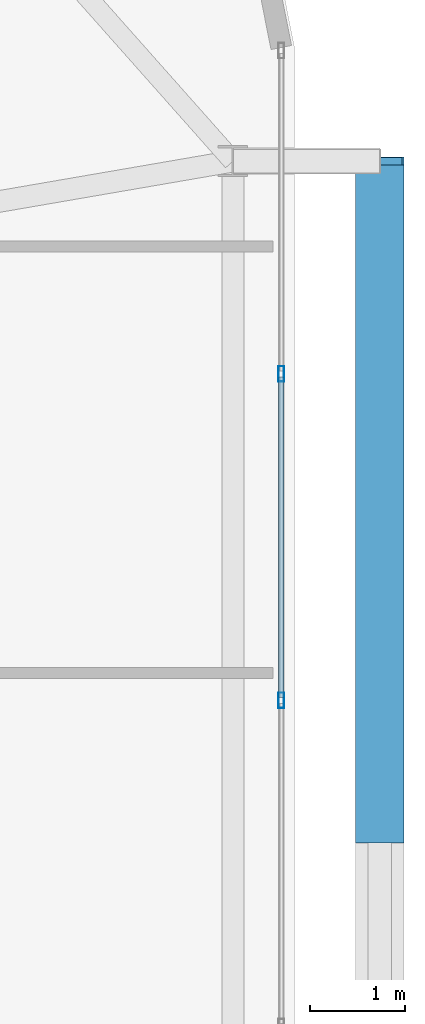
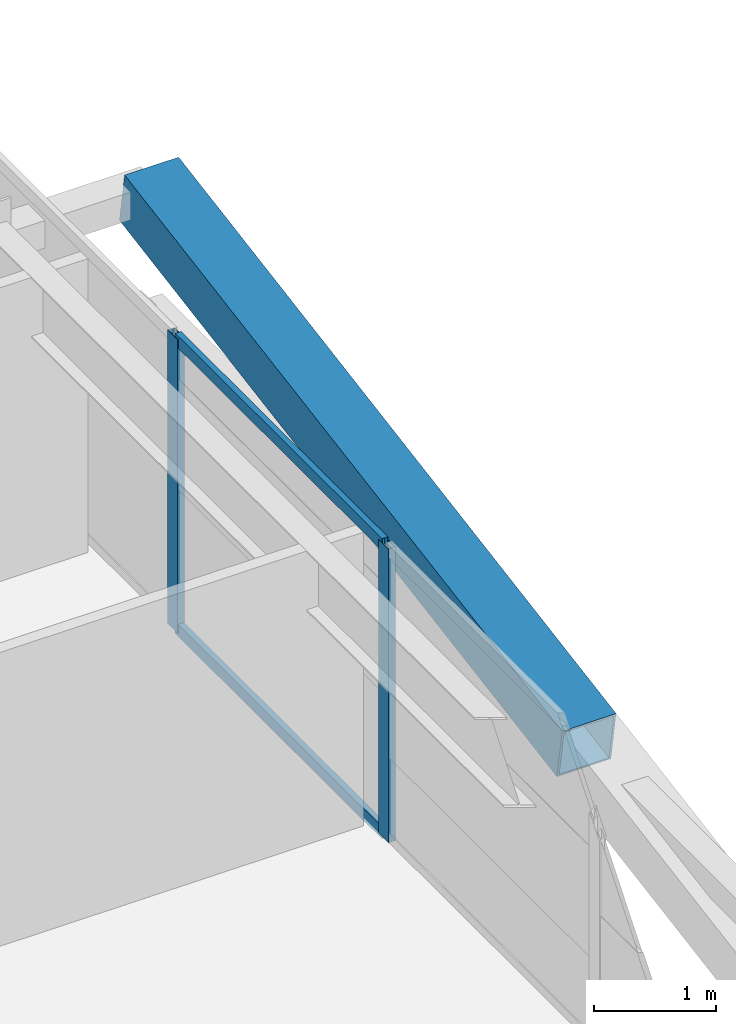
# One storey, part 32 of 59: 5 members, 1 element without a shape of its own.
"""IFC4 building model written with IfcOpenShell, lengths in metres."""

from ifc_helpers import new_model, si_unit, direction, frame, origin, origin_2d, place, context, subcontext, project, spatial, hollow_rectangle, extrude, source, transform, mapped, material, layer, layer_set, material_profile, profile_set, type_object, element, aggregate, save


model = new_model("IFC4")

# Units and contexts
model_context = context("Model", 3, precision=1e-05, world=origin(), true_north=direction((0.0, 1.0)))
body_context = subcontext(model_context, "Body", "Model", "MODEL_VIEW")
ifc_project = project(units=[si_unit("LENGTHUNIT", "METRE"), si_unit("AREAUNIT", "SQUARE_METRE"), si_unit("VOLUMEUNIT", "CUBIC_METRE"), si_unit("PLANEANGLEUNIT", "RADIAN"), si_unit("MASSUNIT", "GRAM", prefix="KILO")], contexts=[model_context])

# Site, building, storey
site_placement = place(None, origin())
site = spatial("IfcSite", under=ifc_project, at=site_placement, CompositionType="ELEMENT")
building_placement = place(site_placement, origin())
building = spatial("IfcBuilding", under=site, at=building_placement, Name="Taldren Reach Tower", CompositionType="ELEMENT")
storey_placement = place(building_placement, frame((0.0, 0.0, 19.949951171875)))
storey = spatial("IfcBuildingStorey", under=building, at=storey_placement, Name="L05", CompositionType="ELEMENT", Elevation=19.949951171875)

# Member
ifc_material_1 = material(Name="Steel Gr 450 (C450L0)", Category="steel")
ifc_material_profile_1 = material_profile(ifc_material_1, hollow_rectangle(XDim=0.510009765625, YDim=0.510009765625, WallThickness=0.02001953125, at=origin_2d()), Name="510x510x20.0SHS")
ifc_profile_set_1 = profile_set([ifc_material_profile_1], Name="Steel Gr 450 (C450L0)")
member_type_1 = type_object("IfcMemberType", Name="MB-EXO508", PredefinedType="BRACE", material=ifc_profile_set_1)
shared_shape_1 = source(origin(), body_context, "Body", "SweptSolid", [
    extrude(hollow_rectangle(XDim=0.510009765625, YDim=0.510009765625, WallThickness=0.02001953125, at=origin_2d()), origin(), (0.0, 0.0, 1.0), 7.252685546875),
])
member_1_placement = place(storey_placement, frame((65.89990234375, 27.14990234375, 1.43505859375), z_axis=(0.0, 0.985865800628, 0.167536930711), x_axis=(-1.0, 0.0, 0.0)))
element("IfcMember", 1, at=member_1_placement, inside=storey, type_object=member_type_1, Name="Exoskeleton Diagrid Brace B1-E2 L05", PredefinedType="BRACE", context=body_context, shape_type="MappedRepresentation", body=[
    mapped(shared_shape_1, transform((0.0, 0.0, 0.0), scale=1.0)),
])

# Curtain wall, members
ifc_material_2 = material(Name="Aluminium and Low-E Glass Unitised System", Category="aluminium")
ifc_layer = layer(ifc_material_2, 0.159912109375)
ifc_layer_set = layer_set([ifc_layer], Name="Aluminium and Low-E Glass Unitised System")
curtain_wall_type = type_object("IfcCurtainWallType", Name="CW-SYS-2", PredefinedType="NOTDEFINED", material=ifc_layer_set)
curtain_wall_placement = place(storey_placement, origin())
curtain_wall = element("IfcCurtainWall", 2, at=curtain_wall_placement, inside=storey, type_object=curtain_wall_type, Name="Unitised curtain wall CW-L05-E", PredefinedType="NOTDEFINED")
ifc_material_3 = material(Name="Anodised Aluminium 6063-T6", Category="aluminium")
ifc_material_profile_2 = material_profile(ifc_material_3, hollow_rectangle(XDim=0.06494140625, YDim=0.1650390625, WallThickness=0.00390625, at=origin_2d()), Name="ALU-165x65x4RHS")
ifc_profile_set_2 = profile_set([ifc_material_profile_2], Name="Anodised Aluminium 6063-T6")
member_type_2 = type_object("IfcMemberType", Name="CW-MUL-165", PredefinedType="MULLION", material=ifc_profile_set_2)
shared_shape_2 = source(origin(), body_context, "Body", "SweptSolid", [
    extrude(hollow_rectangle(XDim=0.06494140625, YDim=0.1650390625, WallThickness=0.00390625, at=origin_2d()), origin(), (0.0, 0.0, 1.0), 2.929931640625),
])
member_2_placement = place(storey_placement, frame((64.860107421875, 28.611083984375, 0.0), z_axis=(0.0, 0.0, 1.0), x_axis=(-1.0, 0.0, 0.0)))
member_2 = element("IfcMember", 3, at=member_2_placement, type_object=member_type_2, Name="CW-2 mullion 8", PredefinedType="MULLION", context=body_context, shape_type="MappedRepresentation", body=[
    mapped(shared_shape_2, transform((0.0, 0.0, 0.0), scale=1.0)),
])
member_3_placement = place(storey_placement, frame((64.860107421875, 32.0556640625, 0.0), z_axis=(0.0, 0.0, 1.0), x_axis=(-1.0, 0.0, 0.0)))
member_3 = element("IfcMember", 4, at=member_3_placement, type_object=member_type_2, Name="CW-2 mullion 9", PredefinedType="MULLION", context=body_context, shape_type="MappedRepresentation", body=[
    mapped(shared_shape_2, transform((0.0, 0.0, 0.0), scale=1.0)),
])
ifc_material_profile_3 = material_profile(ifc_material_3, hollow_rectangle(XDim=0.054931640625, YDim=0.1201171875, WallThickness=0.0029296875, at=origin_2d()), Name="ALU-120x55x3RHS")
ifc_profile_set_3 = profile_set([ifc_material_profile_3], Name="Anodised Aluminium 6063-T6")
member_type_3 = type_object("IfcMemberType", Name="CW-TRN-135", PredefinedType="USERDEFINED", material=ifc_profile_set_3)
shared_shape_3 = source(origin(), body_context, "Body", "SweptSolid", [
    extrude(hollow_rectangle(XDim=0.054931640625, YDim=0.1201171875, WallThickness=0.0029296875, at=origin_2d()), origin(), (0.0, 0.0, 1.0), 3.37939453125),
])
member_4_placement = place(storey_placement, frame((64.860107421875, 28.6435546875, 0.027587890625), z_axis=(0.0, 1.0, 0.0), x_axis=(-1.0, 0.0, 0.0)))
member_4 = element("IfcMember", 5, at=member_4_placement, type_object=member_type_3, Name="CW-2 transom 8.1", ObjectType="TRANSOM", PredefinedType="USERDEFINED", context=body_context, shape_type="MappedRepresentation", body=[
    mapped(shared_shape_3, transform((0.0, 0.0, 0.0), scale=1.0)),
])
member_5_placement = place(storey_placement, frame((64.860107421875, 28.6435546875, 2.902587890625), z_axis=(0.0, 1.0, 0.0), x_axis=(-1.0, 0.0, 0.0)))
member_5 = element("IfcMember", 6, at=member_5_placement, type_object=member_type_3, Name="CW-2 transom 8.2", ObjectType="TRANSOM", PredefinedType="USERDEFINED", context=body_context, shape_type="MappedRepresentation", body=[
    mapped(shared_shape_3, transform((0.0, 0.0, 0.0), scale=1.0)),
])
aggregate(curtain_wall, [member_2, member_3, member_4, member_5])

save(model, "model.ifc")
